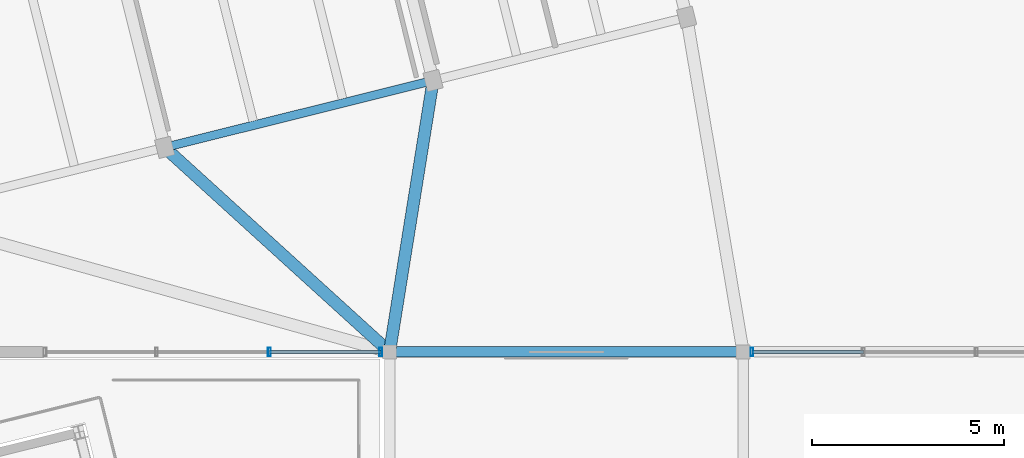
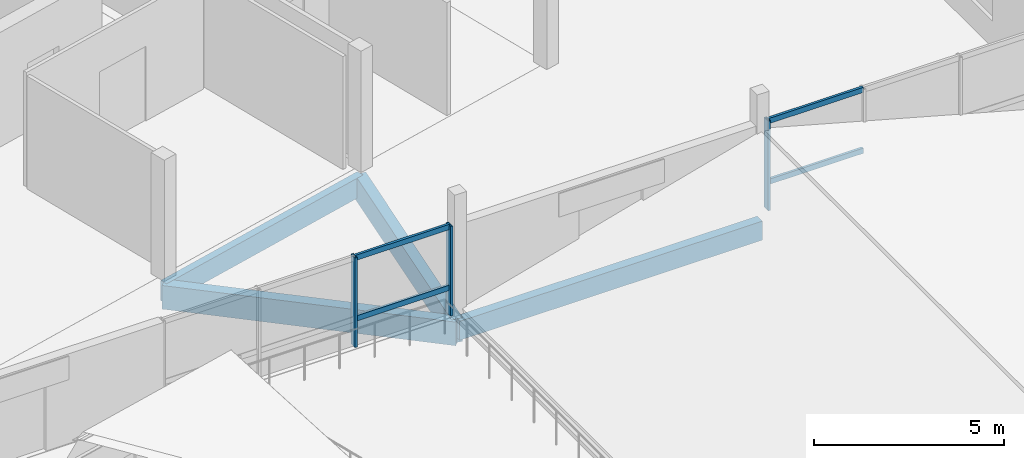
# One storey, part 17 of 39: 7 members, 4 beams, 2 elements without a shape of their own.
"""IFC4 building model written with IfcOpenShell, lengths in metres."""

from ifc_helpers import new_model, si_unit, direction, frame, origin, origin_2d, place, context, subcontext, project, spatial, rectangle, hollow_rectangle, extrude, material, layer, layer_set, material_profile, profile_set, type_object, element, aggregate, save


model = new_model("IFC4")

# Units and contexts
model_context = context("Model", 3, precision=1e-05, world=origin(), true_north=direction((0.0, 1.0)))
body_context = subcontext(model_context, "Body", "Model", "MODEL_VIEW")
ifc_project = project(units=[si_unit("LENGTHUNIT", "METRE"), si_unit("AREAUNIT", "SQUARE_METRE"), si_unit("VOLUMEUNIT", "CUBIC_METRE"), si_unit("PLANEANGLEUNIT", "RADIAN"), si_unit("MASSUNIT", "GRAM", prefix="KILO")], contexts=[model_context])

# Site, building, storey
site_placement = place(None, origin())
site = spatial("IfcSite", under=ifc_project, at=site_placement, CompositionType="ELEMENT")
building_placement = place(site_placement, origin())
building = spatial("IfcBuilding", under=site, at=building_placement, Name="Meriwether Solvik Hall", CompositionType="ELEMENT")
storey_placement = place(building_placement, frame((0.0, 0.0, 22.199951171875)))
storey = spatial("IfcBuildingStorey", under=building, at=storey_placement, Name="L05", CompositionType="ELEMENT", Elevation=22.199951171875)

# Beams
ifc_material_1 = material(Name="Glulam Douglas-Fir 24F-V8 GL28h", Category="wood")
ifc_material_profile_1 = material_profile(ifc_material_1, rectangle(XDim=0.221923828125, YDim=0.64501953125, at=origin_2d()), Name="GLB-222X645")
ifc_profile_set_1 = profile_set([ifc_material_profile_1], Name="Glulam Douglas-Fir 24F-V8 GL28h")
beam_type_1 = type_object("IfcBeamType", Name="BM-GL-222X645", PredefinedType="SPANDREL", material=ifc_profile_set_1)
beam_1_placement = place(storey_placement, frame((89.946533203125, 46.522216796875, -0.5673828125), z_axis=(0.970291911955, 0.241937193493, 0.0), x_axis=(-0.241937193493, 0.970291911955, 0.0)))
element("IfcBeam", 1, at=beam_1_placement, inside=storey, type_object=beam_type_1, Name="Tower Girder TA:T4-T5 (L05)", PredefinedType="SPANDREL", context=body_context, shape_type="SweptSolid", body=[
    extrude(rectangle(XDim=0.221923828125, YDim=0.64501953125, at=origin_2d()), origin(), (0.0, 0.0, 1.0), 7.199951171875),
])
ifc_material_2 = material(Name="Glulam Douglas-Fir 24F-V8 GL28h", Category="wood")
ifc_material_profile_2 = material_profile(ifc_material_2, rectangle(XDim=0.27294921875, YDim=0.610107421875, at=origin_2d()), Name="GLB-273X610")
ifc_profile_set_2 = profile_set([ifc_material_profile_2], Name="Glulam Douglas-Fir 24F-V8 GL28h")
beam_type_2 = type_object("IfcBeamType", Name="BM-GL-273X610", PredefinedType="SPANDREL", material=ifc_profile_set_2)
beam_2_placement = place(storey_placement, frame((95.800048828125, 41.199951171875, -0.550048828125), z_axis=(1.0, 0.0, 0.0), x_axis=(0.0, 1.0, 0.0)))
element("IfcBeam", 2, at=beam_2_placement, inside=storey, type_object=beam_type_2, Name="Podium Girder E:11-12 (L05)", PredefinedType="SPANDREL", context=body_context, shape_type="SweptSolid", body=[
    extrude(rectangle(XDim=0.27294921875, YDim=0.610107421875, at=origin_2d()), origin(), (0.0, 0.0, 1.0), 9.199951171875),
])
ifc_material_3 = material(Name="Glulam Douglas-Fir 24F-V8 GL28h", Category="wood")
ifc_material_profile_3 = material_profile(ifc_material_3, rectangle(XDim=0.31494140625, YDim=0.760009765625, at=origin_2d()), Name="GLB-315X760")
ifc_profile_set_3 = profile_set([ifc_material_profile_3], Name="Glulam Douglas-Fir 24F-V8 GL28h")
beam_type_3 = type_object("IfcBeamType", Name="BM-GL-315X760", PredefinedType="BEAM", material=ifc_profile_set_3)
beam_3_placement = place(storey_placement, frame((89.946533203125, 46.522216796875, -0.625), z_axis=(0.739884216785, -0.672734231144, 0.0), x_axis=(0.672734231144, 0.739884216785, 0.0)))
element("IfcBeam", 3, at=beam_3_placement, inside=storey, type_object=beam_type_3, Name="Diaphragm Collector Girder T4/TA-11/E (L05)", PredefinedType="BEAM", context=body_context, shape_type="SweptSolid", body=[
    extrude(rectangle(XDim=0.31494140625, YDim=0.760009765625, at=origin_2d()), origin(), (0.0, 0.0, 1.0), 7.911376953125),
])
beam_4_placement = place(storey_placement, frame((96.9326171875, 48.26416015625, -0.625), z_axis=(-0.158303256143, -0.98739054031, 0.0), x_axis=(0.98739054031, -0.158303256143, 0.0)))
element("IfcBeam", 4, at=beam_4_placement, inside=storey, type_object=beam_type_3, Name="Diaphragm Collector Girder T5/TA-11/E (L05)", PredefinedType="BEAM", context=body_context, shape_type="SweptSolid", body=[
    extrude(rectangle(XDim=0.31494140625, YDim=0.760009765625, at=origin_2d()), origin(), (0.0, 0.0, 1.0), 7.154541015625),
])

# Curtain wall, members
ifc_material_4 = material(Name="Thermally Broken Anodised Aluminium 6063-T6 and Low-E Glass", Category="aluminium")
ifc_layer = layer(ifc_material_4, 0.179931640625)
ifc_layer_set = layer_set([ifc_layer], Name="Thermally Broken Anodised Aluminium 6063-T6 and Low-E Glass")
curtain_wall_type = type_object("IfcCurtainWallType", Name="CW-UNIT-E", PredefinedType="USERDEFINED", material=ifc_layer_set)
curtain_wall_1_placement = place(storey_placement, origin())
curtain_wall_1 = element("IfcCurtainWall", 5, at=curtain_wall_1_placement, inside=storey, type_object=curtain_wall_type, Name="Curtain Wall wing_XE_10_3 (L05)", ObjectType="UNITISED CURTAIN WALL", PredefinedType="USERDEFINED")
ifc_material_5 = material(Name="Anodised Aluminium 6063-T6", Category="aluminium")
ifc_material_profile_4 = material_profile(ifc_material_5, hollow_rectangle(XDim=0.074951171875, YDim=0.219970703125, WallThickness=0.005615234375, at=origin_2d()), Name="CWM-75X220")
ifc_profile_set_4 = profile_set([ifc_material_profile_4], Name="Anodised Aluminium 6063-T6")
member_type_1 = type_object("IfcMemberType", Name="CW-MUL-75X220", PredefinedType="MULLION", material=ifc_profile_set_4)
member_1_placement = place(storey_placement, frame((95.5673828125, 41.199951171875, 0.0), z_axis=(0.0, 0.0, 1.0), x_axis=(-1.0, 0.0, 0.0)))
member_1 = element("IfcMember", 6, at=member_1_placement, type_object=member_type_1, Name="Curtain Wall Mullion 1", PredefinedType="MULLION", context=body_context, shape_type="SweptSolid", body=[
    extrude(hollow_rectangle(XDim=0.074951171875, YDim=0.219970703125, WallThickness=0.005615234375, at=origin_2d()), origin(), (0.0, 0.0, 1.0), 2.880126953125),
])
member_2_placement = place(storey_placement, frame((92.67041015625, 41.199951171875, 0.0), z_axis=(0.0, 0.0, 1.0), x_axis=(-1.0, 0.0, 0.0)))
member_2 = element("IfcMember", 7, at=member_2_placement, type_object=member_type_1, Name="Curtain Wall Mullion 2", PredefinedType="MULLION", context=body_context, shape_type="SweptSolid", body=[
    extrude(hollow_rectangle(XDim=0.074951171875, YDim=0.219970703125, WallThickness=0.005615234375, at=origin_2d()), origin(), (0.0, 0.0, 1.0), 2.880126953125),
])

# Curtain wall, member
curtain_wall_2_placement = place(storey_placement, origin())
curtain_wall_2 = element("IfcCurtainWall", 8, at=curtain_wall_2_placement, inside=storey, type_object=curtain_wall_type, Name="Curtain Wall wing_XE_12_5 (L05)", ObjectType="UNITISED CURTAIN WALL", PredefinedType="USERDEFINED")
member_3_placement = place(storey_placement, frame((105.232421875, 41.199951171875, 0.0), z_axis=(0.0, 0.0, 1.0), x_axis=(-1.0, 0.0, 0.0)))
member_3 = element("IfcMember", 9, at=member_3_placement, type_object=member_type_1, Name="Curtain Wall Mullion 4", PredefinedType="MULLION", context=body_context, shape_type="SweptSolid", body=[
    extrude(hollow_rectangle(XDim=0.074951171875, YDim=0.219970703125, WallThickness=0.005615234375, at=origin_2d()), origin(), (0.0, 0.0, 1.0), 2.880126953125),
])

# Member
ifc_material_6 = material(Name="Anodised Aluminium 6063-T6", Category="aluminium")
ifc_material_profile_5 = material_profile(ifc_material_6, hollow_rectangle(XDim=0.074951171875, YDim=0.169921875, WallThickness=0.005615234375, at=origin_2d()), Name="CWT-75X170")
ifc_profile_set_5 = profile_set([ifc_material_profile_5], Name="Anodised Aluminium 6063-T6")
member_type_2 = type_object("IfcMemberType", Name="CW-TRN-75X170", PredefinedType="USERDEFINED", material=ifc_profile_set_5)
member_4_placement = place(storey_placement, frame((95.5673828125, 41.199951171875, 0.864013671875), z_axis=(-1.0, 0.0, 0.0), x_axis=(0.0, -1.0, 0.0)))
member_4 = element("IfcMember", 10, at=member_4_placement, type_object=member_type_2, Name="Curtain Wall Transom 1-sill", ObjectType="TRANSOM", PredefinedType="USERDEFINED", context=body_context, shape_type="SweptSolid", body=[
    extrude(hollow_rectangle(XDim=0.074951171875, YDim=0.169921875, WallThickness=0.005615234375, at=origin_2d()), origin(), (0.0, 0.0, 1.0), 2.89697265625),
])

member_5_placement = place(storey_placement, frame((95.5673828125, 41.199951171875, 2.820068359375), z_axis=(-1.0, 0.0, 0.0), x_axis=(0.0, -1.0, 0.0)))
member_5 = element("IfcMember", 11, at=member_5_placement, type_object=member_type_2, Name="Curtain Wall Transom 1-head", ObjectType="TRANSOM", PredefinedType="USERDEFINED", context=body_context, shape_type="SweptSolid", body=[
    extrude(hollow_rectangle(XDim=0.074951171875, YDim=0.169921875, WallThickness=0.005615234375, at=origin_2d()), origin(), (0.0, 0.0, 1.0), 2.89697265625),
])

aggregate(curtain_wall_1, [member_1, member_2, member_4, member_5])

member_6_placement = place(storey_placement, frame((108.131591796875, 41.199951171875, 0.864013671875), z_axis=(-1.0, 0.0, 0.0), x_axis=(0.0, -1.0, 0.0)))
member_6 = element("IfcMember", 12, at=member_6_placement, type_object=member_type_2, Name="Curtain Wall Transom 3-sill", ObjectType="TRANSOM", PredefinedType="USERDEFINED", context=body_context, shape_type="SweptSolid", body=[
    extrude(hollow_rectangle(XDim=0.074951171875, YDim=0.169921875, WallThickness=0.005615234375, at=origin_2d()), origin(), (0.0, 0.0, 1.0), 2.899169921875),
])

member_7_placement = place(storey_placement, frame((108.131591796875, 41.199951171875, 2.820068359375), z_axis=(-1.0, 0.0, 0.0), x_axis=(0.0, -1.0, 0.0)))
member_7 = element("IfcMember", 13, at=member_7_placement, type_object=member_type_2, Name="Curtain Wall Transom 3-head", ObjectType="TRANSOM", PredefinedType="USERDEFINED", context=body_context, shape_type="SweptSolid", body=[
    extrude(hollow_rectangle(XDim=0.074951171875, YDim=0.169921875, WallThickness=0.005615234375, at=origin_2d()), origin(), (0.0, 0.0, 1.0), 2.899169921875),
])

aggregate(curtain_wall_2, [member_3, member_6, member_7])

save(model, "model.ifc")
